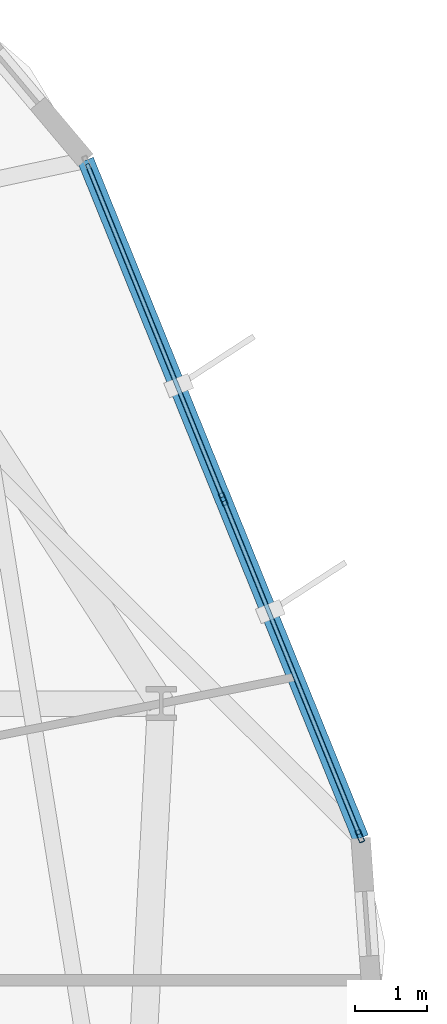
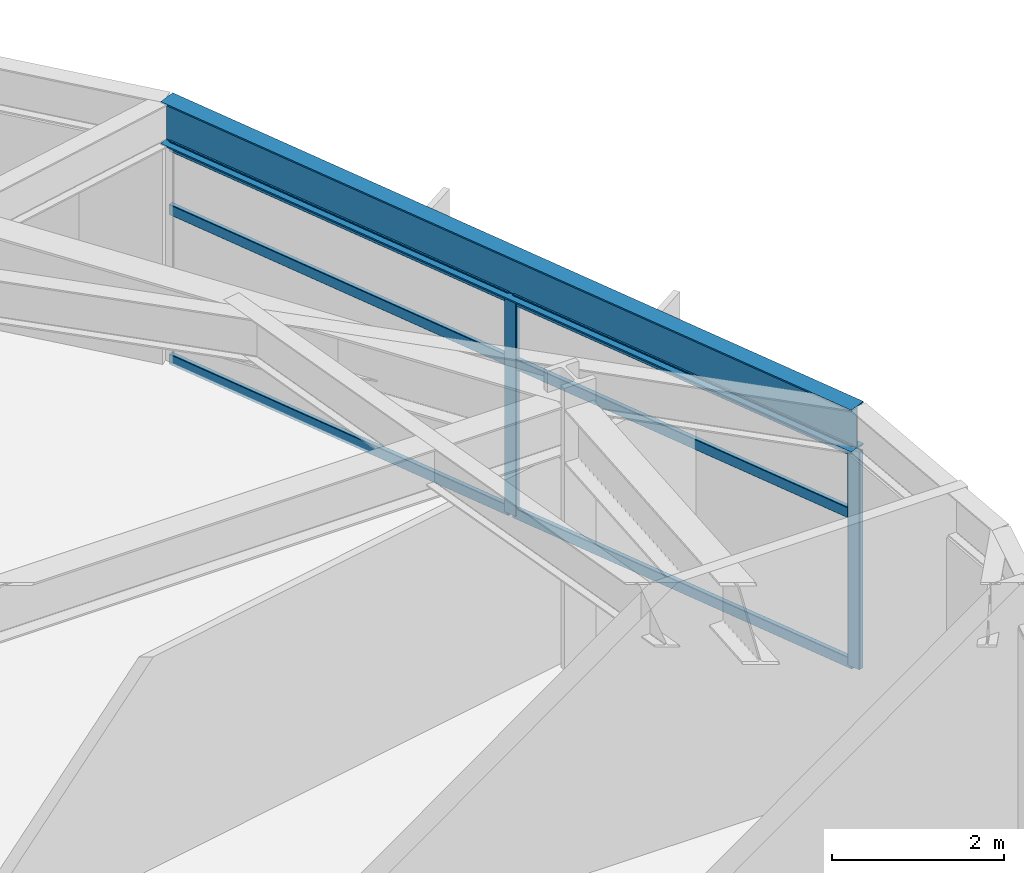
# One storey, part 11 of 22: 8 members, 1 beam, 1 element without a shape of its own.
"""IFC4 building model written with IfcOpenShell, lengths in metres."""

from ifc_helpers import new_model, si_unit, direction, frame, origin, origin_2d, place, context, subcontext, project, spatial, hollow_rectangle, i_section, extrude, material, layer, layer_set, material_profile, profile_set, type_object, element, aggregate, save


model = new_model("IFC4")

# Units and contexts
model_context = context("Model", 3, precision=1e-05, world=origin(), true_north=direction((0.0, 1.0)))
body_context = subcontext(model_context, "Body", "Model", "MODEL_VIEW")
ifc_project = project(units=[si_unit("LENGTHUNIT", "METRE"), si_unit("AREAUNIT", "SQUARE_METRE"), si_unit("VOLUMEUNIT", "CUBIC_METRE"), si_unit("PLANEANGLEUNIT", "RADIAN"), si_unit("MASSUNIT", "GRAM", prefix="KILO")], contexts=[model_context])

# Site, building, storey
site_placement = place(None, origin())
site = spatial("IfcSite", under=ifc_project, at=site_placement, CompositionType="ELEMENT")
building_placement = place(site_placement, origin())
building = spatial("IfcBuilding", under=site, at=building_placement, Name="Soratama Intermodal Tower", CompositionType="ELEMENT")
storey_placement = place(building_placement, frame((0.0, 0.0, 42.60009765625)))
storey = spatial("IfcBuildingStorey", under=building, at=storey_placement, Name="L09", CompositionType="ELEMENT", Elevation=42.60009765625)

# Beam
ifc_material_1 = material(Name="Structural steel ASTM A992 Grade 50", Category="steel")
ifc_material_profile_1 = material_profile(ifc_material_1, i_section(OverallWidth=0.22900390625, OverallDepth=0.612060546875, WebThickness=0.011962890625, FlangeThickness=0.01953125, FilletRadius=0.012939453125, at=origin_2d()), Name="W24X84")
ifc_profile_set_1 = profile_set([ifc_material_profile_1], Name="Structural steel ASTM A992 Grade 50")
beam_type = type_object("IfcBeamType", Name="BM-SPN-W24X84", PredefinedType="SPANDREL", material=ifc_profile_set_1)
beam_placement = place(storey_placement, frame((65.85400390625, 27.97509765625, 3.393798828125), z_axis=(-0.37592086242, 0.92665177127, 0.0), x_axis=(-0.92665177127, -0.37592086242, 0.0)))
element("IfcBeam", 1, at=beam_placement, inside=storey, type_object=beam_type, Name="BS-L09-F01", PredefinedType="SPANDREL", context=body_context, shape_type="SweptSolid", body=[
    extrude(i_section(OverallWidth=0.22900390625, OverallDepth=0.612060546875, WebThickness=0.011962890625, FlangeThickness=0.01953125, FilletRadius=0.012939453125, at=origin_2d()), origin(), (0.0, 0.0, 1.0), 10.16455078125),
])

# Curtain wall, members
ifc_material_2 = material(Name="Double-glazed aluminium curtain wall", Category="aluminium")
ifc_layer = layer(ifc_material_2, 0.159912109375)
ifc_layer_set = layer_set([ifc_layer], Name="Double-glazed aluminium curtain wall")
curtain_wall_type = type_object("IfcCurtainWallType", Name="CW-SYS-2", PredefinedType="NOTDEFINED", material=ifc_layer_set)
curtain_wall_placement = place(storey_placement, origin())
curtain_wall = element("IfcCurtainWall", 2, at=curtain_wall_placement, inside=storey, type_object=curtain_wall_type, Name="L09 Faceted Curtain Wall F01", PredefinedType="NOTDEFINED")
ifc_material_3 = material(Name="Anodised aluminium AA 6063-T6", Category="aluminium")
ifc_material_profile_2 = material_profile(ifc_material_3, hollow_rectangle(XDim=0.074951171875, YDim=0.179931640625, WallThickness=0.006103515625, InnerFilletRadius=0.006103515625, OuterFilletRadius=0.011962890625, at=origin_2d()), Name="CWM180X75X6")
ifc_profile_set_2 = profile_set([ifc_material_profile_2], Name="Anodised aluminium AA 6063-T6")
member_type_1 = type_object("IfcMemberType", Name="MT-CWM-2", PredefinedType="MULLION", material=ifc_profile_set_2)
member_1_placement = place(storey_placement, frame((65.8427734375, 28.00244140625, 0.0), z_axis=(0.0, 0.0, 1.0), x_axis=(-0.926656948494, -0.375908100215, 0.0)))
member_1 = element("IfcMember", 3, at=member_1_placement, type_object=member_type_1, Name="CW-2 mullion 1", PredefinedType="MULLION", context=body_context, shape_type="SweptSolid", body=[
    extrude(hollow_rectangle(XDim=0.074951171875, YDim=0.179931640625, WallThickness=0.006103515625, InnerFilletRadius=0.006103515625, OuterFilletRadius=0.011962890625, at=origin_2d()), origin(), (0.0, 0.0, 1.0), 3.078857421875),
])
member_2_placement = place(storey_placement, frame((63.943359375, 32.6845703125, 0.0), z_axis=(0.0, 0.0, 1.0), x_axis=(-0.926656948494, -0.375908100215, 0.0)))
member_2 = element("IfcMember", 4, at=member_2_placement, type_object=member_type_1, Name="CW-2 mullion 2", PredefinedType="MULLION", context=body_context, shape_type="SweptSolid", body=[
    extrude(hollow_rectangle(XDim=0.074951171875, YDim=0.179931640625, WallThickness=0.006103515625, InnerFilletRadius=0.006103515625, OuterFilletRadius=0.011962890625, at=origin_2d()), origin(), (0.0, 0.0, 1.0), 3.078857421875),
])
ifc_material_4 = material(Name="Anodised aluminium AA 6063-T6", Category="aluminium")
ifc_material_profile_3 = material_profile(ifc_material_4, hollow_rectangle(XDim=0.06494140625, YDim=0.14990234375, WallThickness=0.0048828125, InnerFilletRadius=0.0048828125, OuterFilletRadius=0.010009765625, at=origin_2d()), Name="CWT150X65X5")
ifc_profile_set_3 = profile_set([ifc_material_profile_3], Name="Anodised aluminium AA 6063-T6")
member_type_2 = type_object("IfcMemberType", Name="TT-CWT-1", PredefinedType="USERDEFINED", material=ifc_profile_set_3)
member_3_placement = place(storey_placement, frame((65.83154296875, 28.0302734375, 0.02978515625), z_axis=(-0.375938918334, 0.926644446205, 0.0), x_axis=(-0.926644446205, -0.375938918334, 0.0)))
member_3 = element("IfcMember", 5, at=member_3_placement, type_object=member_type_2, Name="CW-2 transom 1.1", ObjectType="TRANSOM", PredefinedType="USERDEFINED", context=body_context, shape_type="SweptSolid", body=[
    extrude(hollow_rectangle(XDim=0.06494140625, YDim=0.14990234375, WallThickness=0.0048828125, InnerFilletRadius=0.0048828125, OuterFilletRadius=0.010009765625, at=origin_2d()), origin(), (0.0, 0.0, 1.0), 4.99267578125),
])
member_4_placement = place(storey_placement, frame((65.83154296875, 28.0302734375, 2.14990234375), z_axis=(-0.375938918334, 0.926644446205, 0.0), x_axis=(-0.926644446205, -0.375938918334, 0.0)))
member_4 = element("IfcMember", 6, at=member_4_placement, type_object=member_type_2, Name="CW-2 transom 1.2", ObjectType="TRANSOM", PredefinedType="USERDEFINED", context=body_context, shape_type="SweptSolid", body=[
    extrude(hollow_rectangle(XDim=0.06494140625, YDim=0.14990234375, WallThickness=0.0048828125, InnerFilletRadius=0.0048828125, OuterFilletRadius=0.010009765625, at=origin_2d()), origin(), (0.0, 0.0, 1.0), 4.99267578125),
])
member_5_placement = place(storey_placement, frame((65.83154296875, 28.0302734375, 3.048828125), z_axis=(-0.375938918334, 0.926644446205, 0.0), x_axis=(-0.926644446205, -0.375938918334, 0.0)))
member_5 = element("IfcMember", 7, at=member_5_placement, type_object=member_type_2, Name="CW-2 transom 1.3", ObjectType="TRANSOM", PredefinedType="USERDEFINED", context=body_context, shape_type="SweptSolid", body=[
    extrude(hollow_rectangle(XDim=0.06494140625, YDim=0.14990234375, WallThickness=0.0048828125, InnerFilletRadius=0.0048828125, OuterFilletRadius=0.010009765625, at=origin_2d()), origin(), (0.0, 0.0, 1.0), 4.99267578125),
])
member_6_placement = place(storey_placement, frame((63.93212890625, 32.712158203125, 0.02978515625), z_axis=(-0.375896928694, 0.92666148026, 0.0), x_axis=(-0.92666148026, -0.375896928694, 0.0)))
member_6 = element("IfcMember", 8, at=member_6_placement, type_object=member_type_2, Name="CW-2 transom 2.1", ObjectType="TRANSOM", PredefinedType="USERDEFINED", context=body_context, shape_type="SweptSolid", body=[
    extrude(hollow_rectangle(XDim=0.06494140625, YDim=0.14990234375, WallThickness=0.0048828125, InnerFilletRadius=0.0048828125, OuterFilletRadius=0.010009765625, at=origin_2d()), origin(), (0.0, 0.0, 1.0), 4.99267578125),
])
member_7_placement = place(storey_placement, frame((63.93212890625, 32.712158203125, 2.14990234375), z_axis=(-0.375896928694, 0.92666148026, 0.0), x_axis=(-0.92666148026, -0.375896928694, 0.0)))
member_7 = element("IfcMember", 9, at=member_7_placement, type_object=member_type_2, Name="CW-2 transom 2.2", ObjectType="TRANSOM", PredefinedType="USERDEFINED", context=body_context, shape_type="SweptSolid", body=[
    extrude(hollow_rectangle(XDim=0.06494140625, YDim=0.14990234375, WallThickness=0.0048828125, InnerFilletRadius=0.0048828125, OuterFilletRadius=0.010009765625, at=origin_2d()), origin(), (0.0, 0.0, 1.0), 4.99267578125),
])
member_8_placement = place(storey_placement, frame((63.93212890625, 32.712158203125, 3.048828125), z_axis=(-0.375896928694, 0.92666148026, 0.0), x_axis=(-0.92666148026, -0.375896928694, 0.0)))
member_8 = element("IfcMember", 10, at=member_8_placement, type_object=member_type_2, Name="CW-2 transom 2.3", ObjectType="TRANSOM", PredefinedType="USERDEFINED", context=body_context, shape_type="SweptSolid", body=[
    extrude(hollow_rectangle(XDim=0.06494140625, YDim=0.14990234375, WallThickness=0.0048828125, InnerFilletRadius=0.0048828125, OuterFilletRadius=0.010009765625, at=origin_2d()), origin(), (0.0, 0.0, 1.0), 4.99267578125),
])
aggregate(curtain_wall, [member_1, member_2, member_3, member_4, member_5, member_6, member_7, member_8])

save(model, "model.ifc")
